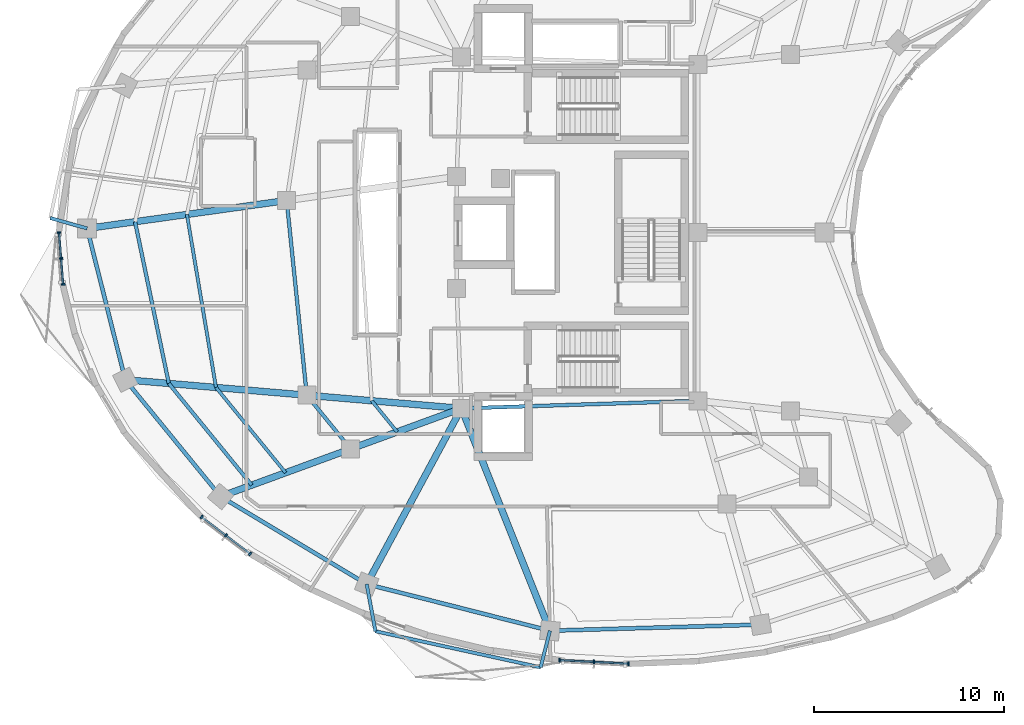
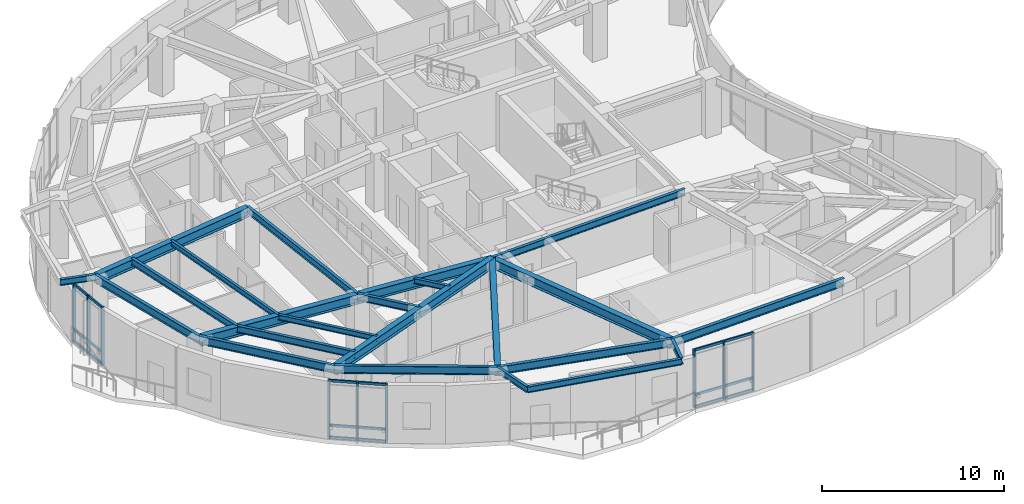
# One storey, part 2 of 15: 27 members, 24 beams, 3 elements without a shape of their own.
"""IFC4 building model written with IfcOpenShell, lengths in metres."""

from ifc_helpers import new_model, si_unit, direction, frame, origin, origin_2d, place, context, subcontext, project, spatial, rectangle, i_section, extrude, material, layer, layer_set, material_profile, profile_set, type_object, element, aggregate, save


model = new_model("IFC4")

# Units and contexts
model_context = context("Model", 3, precision=1e-05, world=origin(), true_north=direction((0.0, 1.0)))
body_context = subcontext(model_context, "Body", "Model", "MODEL_VIEW")
ifc_project = project(units=[si_unit("LENGTHUNIT", "METRE"), si_unit("AREAUNIT", "SQUARE_METRE"), si_unit("VOLUMEUNIT", "CUBIC_METRE"), si_unit("PLANEANGLEUNIT", "RADIAN"), si_unit("MASSUNIT", "GRAM", prefix="KILO")], contexts=[model_context])

# Site, building, storey
site_placement = place(None, origin())
site = spatial("IfcSite", under=ifc_project, at=site_placement, CompositionType="ELEMENT")
building_placement = place(site_placement, origin())
building = spatial("IfcBuilding", under=site, at=building_placement, Name="Korentha Bioscience Tower", CompositionType="ELEMENT")
storey_placement = place(building_placement, frame((0.0, 0.0, 226.800048828125)))
storey = spatial("IfcBuildingStorey", under=building, at=storey_placement, Name="L52", CompositionType="ELEMENT", Elevation=226.800048828125)

# Beams
ifc_material_1 = material(Name="Steel S355", Category="steel")
ifc_material_profile_1 = material_profile(ifc_material_1, i_section(OverallWidth=0.18994140625, OverallDepth=0.45703125, WebThickness=0.009033203125, FlangeThickness=0.014404296875, at=origin_2d()), Name="Steel S355")
ifc_profile_set_1 = profile_set([ifc_material_profile_1], Name="Steel S355 (MB-460)")
beam_type_1 = type_object("IfcBeamType", Name="Mid-Ring Tie Girder W460x74", PredefinedType="BEAM", material=ifc_profile_set_1)
beam_1_placement = place(storey_placement, frame((15.903076171875, 28.69482421875, 3.67138671875), z_axis=(0.102606546494, -0.994722019771, 0.0), x_axis=(0.994722019771, 0.102606546494, 0.0)))
element("IfcBeam", 1, at=beam_1_placement, inside=storey, type_object=beam_type_1, Name="L52 Mid-Ring Tie Girder 07", PredefinedType="BEAM", context=body_context, shape_type="SweptSolid", body=[
    extrude(i_section(OverallWidth=0.18994140625, OverallDepth=0.45703125, WebThickness=0.009033203125, FlangeThickness=0.014404296875, at=origin_2d()), origin(), (0.0, 0.0, 1.0), 10.30517578125),
])
beam_2_placement = place(storey_placement, frame((16.96044921875, 18.444091796875, 3.67138671875), z_axis=(0.632275728894, -0.774743443116, 0.0), x_axis=(0.774743443116, 0.632275728894, 0.0)))
element("IfcBeam", 2, at=beam_2_placement, inside=storey, type_object=beam_type_1, Name="L52 Mid-Ring Tie Girder 08", PredefinedType="BEAM", context=body_context, shape_type="SweptSolid", body=[
    extrude(i_section(OverallWidth=0.18994140625, OverallDepth=0.45703125, WebThickness=0.009033203125, FlangeThickness=0.014404296875, at=origin_2d()), origin(), (0.0, 0.0, 1.0), 3.650146484375),
])
beam_3_placement = place(storey_placement, frame((25.10009765625, 17.75, 3.67138671875), z_axis=(0.999484526071, 0.032104238723, 0.0), x_axis=(-0.032104238723, 0.999484526071, 0.0)))
element("IfcBeam", 3, at=beam_3_placement, inside=storey, type_object=beam_type_1, Name="L52 Core Ring Tie Girder 05", PredefinedType="BEAM", context=body_context, shape_type="SweptSolid", body=[
    extrude(i_section(OverallWidth=0.18994140625, OverallDepth=0.45703125, WebThickness=0.009033203125, FlangeThickness=0.014404296875, at=origin_2d()), origin(), (0.0, 0.0, 1.0), 12.456298828125),
])

# Curtain wall, members
ifc_material_2 = material(Name="Thermally Broken Aluminium Frame", Category="aluminium")
ifc_layer = layer(ifc_material_2, 0.219970703125, Name="Thermally Broken Aluminium Frame")
ifc_layer_set = layer_set([ifc_layer], Name="Thermally Broken Aluminium Frame (CW-T2)")
curtain_wall_type = type_object("IfcCurtainWallType", Name="Solar-Screened Lab Unitised Curtain Wall CW-T2", PredefinedType="USERDEFINED", material=ifc_layer_set)
curtain_wall_1_placement = place(storey_placement, origin())
curtain_wall_1 = element("IfcCurtainWall", 4, at=curtain_wall_1_placement, inside=storey, type_object=curtain_wall_type, Name="L52 Curtain Wall 19", ObjectType="UNITISED", PredefinedType="USERDEFINED")
ifc_material_3 = material(Name="Anodised Aluminium 6063-T6", Category="aluminium")
ifc_material_profile_2 = material_profile(ifc_material_3, rectangle(XDim=0.090087890625, YDim=0.199951171875, at=origin_2d()), Name="Anodised Aluminium 6063-T6")
ifc_profile_set_2 = profile_set([ifc_material_profile_2], Name="Anodised Aluminium 6063-T6 (CW-MUL)")
member_type_1 = type_object("IfcMemberType", Name="Mullion RECT 90x200", PredefinedType="MULLION", material=ifc_profile_set_2)
member_1_placement = place(storey_placement, frame((3.9169921875, 27.0078125, 0.0), z_axis=(0.0, 0.0, 1.0), x_axis=(0.07974803224, -0.996815053736, 0.0)))
member_1 = element("IfcMember", 5, at=member_1_placement, type_object=member_type_1, Name="CW-L52-19 Mullion 1", PredefinedType="MULLION", context=body_context, shape_type="SweptSolid", body=[
    extrude(rectangle(XDim=0.090087890625, YDim=0.199951171875, at=origin_2d()), origin(), (0.0, 0.0, 1.0), 3.89990234375),
])
member_2_placement = place(storey_placement, frame((4.026123046875, 25.642578125, 0.0), z_axis=(0.0, 0.0, 1.0), x_axis=(0.07974803224, -0.996815053736, 0.0)))
member_2 = element("IfcMember", 6, at=member_2_placement, type_object=member_type_1, Name="CW-L52-19 Mullion 2", PredefinedType="MULLION", context=body_context, shape_type="SweptSolid", body=[
    extrude(rectangle(XDim=0.090087890625, YDim=0.199951171875, at=origin_2d()), origin(), (0.0, 0.0, 1.0), 3.89990234375),
])
member_3_placement = place(storey_placement, frame((4.13525390625, 24.277587890625, 0.0), z_axis=(0.0, 0.0, 1.0), x_axis=(0.07974803224, -0.996815053736, 0.0)))
member_3 = element("IfcMember", 7, at=member_3_placement, type_object=member_type_1, Name="CW-L52-19 Mullion 3", PredefinedType="MULLION", context=body_context, shape_type="SweptSolid", body=[
    extrude(rectangle(XDim=0.090087890625, YDim=0.199951171875, at=origin_2d()), origin(), (0.0, 0.0, 1.0), 3.89990234375),
])

curtain_wall_2_placement = place(storey_placement, origin())
curtain_wall_2 = element("IfcCurtainWall", 8, at=curtain_wall_2_placement, inside=storey, type_object=curtain_wall_type, Name="L52 Curtain Wall 25", ObjectType="UNITISED", PredefinedType="USERDEFINED")
member_4_placement = place(storey_placement, frame((11.423095703125, 12.036865234375, 0.0), z_axis=(0.0, 0.0, 1.0), x_axis=(0.796889131105, -0.604125576951, 0.0)))
member_4 = element("IfcMember", 9, at=member_4_placement, type_object=member_type_1, Name="CW-L52-25 Mullion 1", PredefinedType="MULLION", context=body_context, shape_type="SweptSolid", body=[
    extrude(rectangle(XDim=0.090087890625, YDim=0.199951171875, at=origin_2d()), origin(), (0.0, 0.0, 1.0), 3.89990234375),
])
member_5_placement = place(storey_placement, frame((12.704345703125, 11.065673828125, 0.0), z_axis=(0.0, 0.0, 1.0), x_axis=(0.796889131105, -0.604125576951, 0.0)))
member_5 = element("IfcMember", 10, at=member_5_placement, type_object=member_type_1, Name="CW-L52-25 Mullion 2", PredefinedType="MULLION", context=body_context, shape_type="SweptSolid", body=[
    extrude(rectangle(XDim=0.090087890625, YDim=0.199951171875, at=origin_2d()), origin(), (0.0, 0.0, 1.0), 3.89990234375),
])
member_6_placement = place(storey_placement, frame((13.985595703125, 10.09423828125, 0.0), z_axis=(0.0, 0.0, 1.0), x_axis=(0.796889131105, -0.604125576951, 0.0)))
member_6 = element("IfcMember", 11, at=member_6_placement, type_object=member_type_1, Name="CW-L52-25 Mullion 3", PredefinedType="MULLION", context=body_context, shape_type="SweptSolid", body=[
    extrude(rectangle(XDim=0.090087890625, YDim=0.199951171875, at=origin_2d()), origin(), (0.0, 0.0, 1.0), 3.89990234375),
])

curtain_wall_3_placement = place(storey_placement, origin())
curtain_wall_3 = element("IfcCurtainWall", 12, at=curtain_wall_3_placement, inside=storey, type_object=curtain_wall_type, Name="L52 Curtain Wall 31", ObjectType="UNITISED", PredefinedType="USERDEFINED")
member_7_placement = place(storey_placement, frame((30.262939453125, 4.501708984375, 0.0), z_axis=(0.0, 0.0, 1.0), x_axis=(0.998695818107, -0.051055488397, 0.0)))
member_7 = element("IfcMember", 13, at=member_7_placement, type_object=member_type_1, Name="CW-L52-31 Mullion 1", PredefinedType="MULLION", context=body_context, shape_type="SweptSolid", body=[
    extrude(rectangle(XDim=0.090087890625, YDim=0.199951171875, at=origin_2d()), origin(), (0.0, 0.0, 1.0), 3.89990234375),
])
member_8_placement = place(storey_placement, frame((32.078125, 4.40869140625, 0.0), z_axis=(0.0, 0.0, 1.0), x_axis=(0.998695818107, -0.051055488397, 0.0)))
member_8 = element("IfcMember", 14, at=member_8_placement, type_object=member_type_1, Name="CW-L52-31 Mullion 2", PredefinedType="MULLION", context=body_context, shape_type="SweptSolid", body=[
    extrude(rectangle(XDim=0.090087890625, YDim=0.199951171875, at=origin_2d()), origin(), (0.0, 0.0, 1.0), 3.89990234375),
])
member_9_placement = place(storey_placement, frame((33.8935546875, 4.31591796875, 0.0), z_axis=(0.0, 0.0, 1.0), x_axis=(0.998695818107, -0.051055488397, 0.0)))
member_9 = element("IfcMember", 15, at=member_9_placement, type_object=member_type_1, Name="CW-L52-31 Mullion 3", PredefinedType="MULLION", context=body_context, shape_type="SweptSolid", body=[
    extrude(rectangle(XDim=0.090087890625, YDim=0.199951171875, at=origin_2d()), origin(), (0.0, 0.0, 1.0), 3.89990234375),
])

# Beams
ifc_material_profile_3 = material_profile(ifc_material_1, i_section(OverallWidth=0.208984375, OverallDepth=0.532958984375, WebThickness=0.01025390625, FlangeThickness=0.015625, at=origin_2d()), Name="Steel S355")
ifc_profile_set_3 = profile_set([ifc_material_profile_3], Name="Steel S355 (SB-530)")
beam_type_2 = type_object("IfcBeamType", Name="Perimeter Ring Spandrel Girder W530x92", PredefinedType="SPANDREL", material=ifc_profile_set_3)
beam_4_placement = place(storey_placement, frame((5.39990234375, 27.2216796875, 3.633544921875), z_axis=(0.244207174084, -0.969723082187, 0.0), x_axis=(0.969723082187, 0.244207174084, 0.0)))
element("IfcBeam", 16, at=beam_4_placement, inside=storey, type_object=beam_type_2, Name="L52 Perimeter Spandrel Girder 07", PredefinedType="SPANDREL", context=body_context, shape_type="SweptSolid", body=[
    extrude(i_section(OverallWidth=0.208984375, OverallDepth=0.532958984375, WebThickness=0.01025390625, FlangeThickness=0.015625, at=origin_2d()), origin(), (0.0, 0.0, 1.0), 8.211669921875),
])
beam_5_placement = place(storey_placement, frame((7.4052734375, 19.258544921875, 3.633544921875), z_axis=(0.632315820697, -0.774710722074, 0.0), x_axis=(0.774710722074, 0.632315820697, 0.0)))
element("IfcBeam", 17, at=beam_5_placement, inside=storey, type_object=beam_type_2, Name="L52 Perimeter Spandrel Girder 08", PredefinedType="SPANDREL", context=body_context, shape_type="SweptSolid", body=[
    extrude(i_section(OverallWidth=0.208984375, OverallDepth=0.532958984375, WebThickness=0.01025390625, FlangeThickness=0.015625, at=origin_2d()), origin(), (0.0, 0.0, 1.0), 7.934814453125),
])
beam_6_placement = place(storey_placement, frame((12.422607421875, 13.111328125, 3.633544921875), z_axis=(0.857644232791, -0.514243492872, 0.0), x_axis=(0.514243492872, 0.857644232791, 0.0)))
element("IfcBeam", 18, at=beam_6_placement, inside=storey, type_object=beam_type_2, Name="L52 Perimeter Spandrel Girder 09", PredefinedType="SPANDREL", context=body_context, shape_type="SweptSolid", body=[
    extrude(i_section(OverallWidth=0.208984375, OverallDepth=0.532958984375, WebThickness=0.01025390625, FlangeThickness=0.015625, at=origin_2d()), origin(), (0.0, 0.0, 1.0), 8.96728515625),
])
beam_7_placement = place(storey_placement, frame((20.11328125, 8.5, 3.633544921875), z_axis=(0.969197317616, -0.246285524395, 0.0), x_axis=(0.246285524395, 0.969197317616, 0.0)))
element("IfcBeam", 19, at=beam_7_placement, inside=storey, type_object=beam_type_2, Name="L52 Perimeter Spandrel Girder 10", PredefinedType="SPANDREL", context=body_context, shape_type="SweptSolid", body=[
    extrude(i_section(OverallWidth=0.208984375, OverallDepth=0.532958984375, WebThickness=0.01025390625, FlangeThickness=0.015625, at=origin_2d()), origin(), (0.0, 0.0, 1.0), 9.95263671875),
])
beam_8_placement = place(storey_placement, frame((29.75927734375, 6.048828125, 3.633544921875), z_axis=(0.999586140554, 0.028767127286, 0.0), x_axis=(-0.028767127286, 0.999586140554, 0.0)))
element("IfcBeam", 20, at=beam_8_placement, inside=storey, type_object=beam_type_2, Name="L52 Perimeter Spandrel Girder 11", PredefinedType="SPANDREL", context=body_context, shape_type="SweptSolid", body=[
    extrude(i_section(OverallWidth=0.208984375, OverallDepth=0.532958984375, WebThickness=0.01025390625, FlangeThickness=0.015625, at=origin_2d()), origin(), (0.0, 0.0, 1.0), 11.09228515625),
])
ifc_material_profile_4 = material_profile(ifc_material_1, i_section(OverallWidth=0.18994140625, OverallDepth=0.45703125, WebThickness=0.009033203125, FlangeThickness=0.014404296875, at=origin_2d()), Name="Steel S355")
ifc_profile_set_4 = profile_set([ifc_material_profile_4], Name="Steel S355 (RB-460)")
beam_type_3 = type_object("IfcBeamType", Name="Radial Laboratory Beam W460x74", PredefinedType="BEAM", material=ifc_profile_set_4)
beam_9_placement = place(storey_placement, frame((7.920654296875, 27.5751953125, 3.67138671875), z_axis=(0.204445291573, -0.978877991761, 0.0), x_axis=(0.978877991761, 0.204445291573, 0.0)))
element("IfcBeam", 21, at=beam_9_placement, inside=storey, type_object=beam_type_3, Name="L52 Secondary Floor Beam JSTO-07", PredefinedType="BEAM", context=body_context, shape_type="SweptSolid", body=[
    extrude(i_section(OverallWidth=0.18994140625, OverallDepth=0.45703125, WebThickness=0.009033203125, FlangeThickness=0.014404296875, at=origin_2d()), origin(), (0.0, 0.0, 1.0), 8.69580078125),
])
beam_10_placement = place(storey_placement, frame((9.698486328125, 19.06298828125, 3.67138671875), z_axis=(0.632321075077, -0.77470643344, 0.0), x_axis=(0.77470643344, 0.632321075077, 0.0)))
element("IfcBeam", 22, at=beam_10_placement, inside=storey, type_object=beam_type_3, Name="L52 Secondary Floor Beam JSTO-08", PredefinedType="BEAM", context=body_context, shape_type="SweptSolid", body=[
    extrude(i_section(OverallWidth=0.18994140625, OverallDepth=0.45703125, WebThickness=0.009033203125, FlangeThickness=0.014404296875, at=origin_2d()), origin(), (0.0, 0.0, 1.0), 6.906494140625),
])
ifc_material_profile_5 = material_profile(ifc_material_1, i_section(OverallWidth=0.35009765625, OverallDepth=0.64990234375, WebThickness=0.01611328125, FlangeThickness=0.02490234375, at=origin_2d()), Name="Steel S355")
ifc_profile_set_5 = profile_set([ifc_material_profile_5], Name="Steel S355 (RB-650)")
beam_type_4 = type_object("IfcBeamType", Name="Radial Laboratory Girder CVS 650x208", PredefinedType="BEAM", material=ifc_profile_set_5)
beam_11_placement = place(storey_placement, frame((15.903076171875, 28.69482421875, 3.574951171875), z_axis=(-0.990306757518, -0.138897537827, 0.0), x_axis=(0.138897537827, -0.990306757518, 0.0)))
element("IfcBeam", 23, at=beam_11_placement, inside=storey, type_object=beam_type_4, Name="L52 Outer Radial Girder 07", PredefinedType="BEAM", context=body_context, shape_type="SweptSolid", body=[
    extrude(i_section(OverallWidth=0.35009765625, OverallDepth=0.64990234375, WebThickness=0.01611328125, FlangeThickness=0.02490234375, at=origin_2d()), origin(), (0.0, 0.0, 1.0), 10.60595703125),
])
beam_12_placement = place(storey_placement, frame((25.10009765625, 17.75, 3.574951171875), z_axis=(-0.996383970884, 0.084964595957, 0.0), x_axis=(-0.084964595957, -0.996383970884, 0.0)))
element("IfcBeam", 24, at=beam_12_placement, inside=storey, type_object=beam_type_4, Name="L52 Inner Radial Girder 08", PredefinedType="BEAM", context=body_context, shape_type="SweptSolid", body=[
    extrude(i_section(OverallWidth=0.35009765625, OverallDepth=0.64990234375, WebThickness=0.01611328125, FlangeThickness=0.02490234375, at=origin_2d()), origin(), (0.0, 0.0, 1.0), 8.169189453125),
])
beam_13_placement = place(storey_placement, frame((16.96044921875, 18.444091796875, 3.574951171875), z_axis=(-0.996387014591, 0.084928894698, 0.0), x_axis=(-0.084928894698, -0.996387014591, 0.0)))
element("IfcBeam", 25, at=beam_13_placement, inside=storey, type_object=beam_type_4, Name="L52 Outer Radial Girder 08", PredefinedType="BEAM", context=body_context, shape_type="SweptSolid", body=[
    extrude(i_section(OverallWidth=0.35009765625, OverallDepth=0.64990234375, WebThickness=0.01611328125, FlangeThickness=0.02490234375, at=origin_2d()), origin(), (0.0, 0.0, 1.0), 9.58984375),
])
beam_14_placement = place(storey_placement, frame((25.10009765625, 17.75, 3.574951171875), z_axis=(-0.939112022558, -0.343611130622, 0.0), x_axis=(0.343611130622, -0.939112022558, 0.0)))
element("IfcBeam", 26, at=beam_14_placement, inside=storey, type_object=beam_type_4, Name="L52 Inner Radial Girder 09", PredefinedType="BEAM", context=body_context, shape_type="SweptSolid", body=[
    extrude(i_section(OverallWidth=0.35009765625, OverallDepth=0.64990234375, WebThickness=0.01611328125, FlangeThickness=0.02490234375, at=origin_2d()), origin(), (0.0, 0.0, 1.0), 6.2099609375),
])
beam_15_placement = place(storey_placement, frame((19.268310546875, 15.6162109375, 3.574951171875), z_axis=(-0.939107036581, -0.343624757322, 0.0), x_axis=(0.343624757322, -0.939107036581, 0.0)))
element("IfcBeam", 27, at=beam_15_placement, inside=storey, type_object=beam_type_4, Name="L52 Outer Radial Girder 09", PredefinedType="BEAM", context=body_context, shape_type="SweptSolid", body=[
    extrude(i_section(OverallWidth=0.35009765625, OverallDepth=0.64990234375, WebThickness=0.01611328125, FlangeThickness=0.02490234375, at=origin_2d()), origin(), (0.0, 0.0, 1.0), 7.28955078125),
])
beam_16_placement = place(storey_placement, frame((25.10009765625, 17.75, 3.574951171875), z_axis=(-0.474545867703, -0.880230776243, 0.0), x_axis=(0.880230776243, -0.474545867703, 0.0)))
element("IfcBeam", 28, at=beam_16_placement, inside=storey, type_object=beam_type_4, Name="L52 Radial Girder 10", PredefinedType="BEAM", context=body_context, shape_type="SweptSolid", body=[
    extrude(i_section(OverallWidth=0.35009765625, OverallDepth=0.64990234375, WebThickness=0.01611328125, FlangeThickness=0.02490234375, at=origin_2d()), origin(), (0.0, 0.0, 1.0), 10.508544921875),
])
beam_17_placement = place(storey_placement, frame((25.10009765625, 17.75, 3.574951171875), z_axis=(0.369933042289, -0.929058418089, 0.0), x_axis=(0.929058418089, 0.369933042289, 0.0)))
element("IfcBeam", 29, at=beam_17_placement, inside=storey, type_object=beam_type_4, Name="L52 Radial Girder 11", PredefinedType="BEAM", context=body_context, shape_type="SweptSolid", body=[
    extrude(i_section(OverallWidth=0.35009765625, OverallDepth=0.64990234375, WebThickness=0.01611328125, FlangeThickness=0.02490234375, at=origin_2d()), origin(), (0.0, 0.0, 1.0), 12.5947265625),
])
ifc_material_profile_6 = material_profile(ifc_material_1, i_section(OverallWidth=0.1708984375, OverallDepth=0.35498046875, WebThickness=0.007080078125, FlangeThickness=0.01171875, at=origin_2d()), Name="Steel S355")
ifc_profile_set_6 = profile_set([ifc_material_profile_6], Name="Steel S355 (JB-360)")
beam_type_5 = type_object("IfcBeamType", Name="Secondary Laboratory Joist W360x51", PredefinedType="JOIST", material=ifc_profile_set_6)
beam_18_placement = place(storey_placement, frame((10.651611328125, 27.958251953125, 3.722412109375), z_axis=(0.165813560916, -0.986157118829, 0.0), x_axis=(0.986157118829, 0.165813560916, 0.0)))
element("IfcBeam", 30, at=beam_18_placement, inside=storey, type_object=beam_type_5, Name="L52 Secondary Floor Beam JST-07", PredefinedType="JOIST", context=body_context, shape_type="SweptSolid", body=[
    extrude(i_section(OverallWidth=0.1708984375, OverallDepth=0.35498046875, WebThickness=0.007080078125, FlangeThickness=0.01171875, at=origin_2d()), origin(), (0.0, 0.0, 1.0), 9.23486328125),
])
beam_19_placement = place(storey_placement, frame((12.182861328125, 18.851318359375, 3.722412109375), z_axis=(0.632303189088, -0.774721031771, 0.0), x_axis=(0.774721031771, 0.632303189088, 0.0)))
element("IfcBeam", 31, at=beam_19_placement, inside=storey, type_object=beam_type_5, Name="L52 Secondary Floor Beam JST-08", PredefinedType="JOIST", context=body_context, shape_type="SweptSolid", body=[
    extrude(i_section(OverallWidth=0.1708984375, OverallDepth=0.35498046875, WebThickness=0.007080078125, FlangeThickness=0.01171875, at=origin_2d()), origin(), (0.0, 0.0, 1.0), 5.79248046875),
])
beam_20_placement = place(storey_placement, frame((20.37890625, 18.152587890625, 3.722412109375), z_axis=(0.632370841021, -0.774665811448, 0.0), x_axis=(0.774665811448, 0.632370841021, 0.0)))
element("IfcBeam", 32, at=beam_20_placement, inside=storey, type_object=beam_type_5, Name="L52 Inner Bay Joist 08", PredefinedType="JOIST", context=body_context, shape_type="SweptSolid", body=[
    extrude(i_section(OverallWidth=0.1708984375, OverallDepth=0.35498046875, WebThickness=0.007080078125, FlangeThickness=0.01171875, at=origin_2d()), origin(), (0.0, 0.0, 1.0), 2.1171875),
])
ifc_material_profile_7 = material_profile(ifc_material_1, i_section(OverallWidth=0.177978515625, OverallDepth=0.406982421875, WebThickness=0.0078125, FlangeThickness=0.0126953125, at=origin_2d()), Name="Steel S355")
ifc_profile_set_7 = profile_set([ifc_material_profile_7], Name="Steel S355 (CB-410)")
beam_type_6 = type_object("IfcBeamType", Name="Sun-Ledge Cantilever Beam W410x60", PredefinedType="BEAM", material=ifc_profile_set_7)
beam_21_placement = place(storey_placement, frame((5.39990234375, 27.2216796875, 3.698486328125), z_axis=(-0.962251522828, 0.272161729154, 0.0), x_axis=(-0.272161729154, -0.962251522828, 0.0)))
element("IfcBeam", 33, at=beam_21_placement, inside=storey, type_object=beam_type_6, Name="L52 Balcony Cantilever Bracket B-L53-02", PredefinedType="BEAM", context=body_context, shape_type="SweptSolid", body=[
    extrude(i_section(OverallWidth=0.177978515625, OverallDepth=0.406982421875, WebThickness=0.0078125, FlangeThickness=0.0126953125, at=origin_2d()), origin(), (0.0, 0.0, 1.0), 2.0166015625),
])
beam_22_placement = place(storey_placement, frame((20.11328125, 8.5, 3.698486328125), z_axis=(0.182446425678, -0.983215796129, 0.0), x_axis=(0.983215796129, 0.182446425678, 0.0)))
element("IfcBeam", 34, at=beam_22_placement, inside=storey, type_object=beam_type_6, Name="L52 Balcony Cantilever Bracket A-L53-03", PredefinedType="BEAM", context=body_context, shape_type="SweptSolid", body=[
    extrude(i_section(OverallWidth=0.177978515625, OverallDepth=0.406982421875, WebThickness=0.0078125, FlangeThickness=0.0126953125, at=origin_2d()), origin(), (0.0, 0.0, 1.0), 2.52099609375),
])
beam_23_placement = place(storey_placement, frame((29.75927734375, 6.048828125, 3.698486328125), z_axis=(-0.246080750439, -0.969249330288, 0.0), x_axis=(0.969249330288, -0.246080750439, 0.0)))
element("IfcBeam", 35, at=beam_23_placement, inside=storey, type_object=beam_type_6, Name="L52 Balcony Cantilever Bracket B-L53-03", PredefinedType="BEAM", context=body_context, shape_type="SweptSolid", body=[
    extrude(i_section(OverallWidth=0.177978515625, OverallDepth=0.406982421875, WebThickness=0.0078125, FlangeThickness=0.0126953125, at=origin_2d()), origin(), (0.0, 0.0, 1.0), 1.9921875),
])
beam_24_placement = place(storey_placement, frame((20.5732421875, 6.021240234375, 3.698486328125), z_axis=(0.976873887272, -0.213816295838, 0.0), x_axis=(0.213816295838, 0.976873887272, 0.0)))
element("IfcBeam", 36, at=beam_24_placement, inside=storey, type_object=beam_type_6, Name="L52 Balcony Edge Trimmer Beam L53-03", PredefinedType="BEAM", context=body_context, shape_type="SweptSolid", body=[
    extrude(i_section(OverallWidth=0.177978515625, OverallDepth=0.406982421875, WebThickness=0.0078125, FlangeThickness=0.0126953125, at=origin_2d()), origin(), (0.0, 0.0, 1.0), 8.901611328125),
])

# Member
ifc_material_profile_8 = material_profile(ifc_material_3, rectangle(XDim=0.090087890625, YDim=0.159912109375, at=origin_2d()), Name="Anodised Aluminium 6063-T6")
ifc_profile_set_8 = profile_set([ifc_material_profile_8], Name="Anodised Aluminium 6063-T6 (CW-TRN)")
member_type_2 = type_object("IfcMemberType", Name="Transom RECT 90x160", PredefinedType="USERDEFINED", material=ifc_profile_set_8)
member_10_placement = place(storey_placement, frame((3.92041015625, 26.962890625, 0.044921875), z_axis=(0.079760390344, -0.996814064975, 0.0), x_axis=(0.996814064975, 0.079760390344, 0.0)))
member_10 = element("IfcMember", 37, at=member_10_placement, type_object=member_type_2, Name="CW-L52-19 Bay 1 Transom 1", ObjectType="TRANSOM", PredefinedType="USERDEFINED", context=body_context, shape_type="SweptSolid", body=[
    extrude(rectangle(XDim=0.090087890625, YDim=0.159912109375, at=origin_2d()), origin(), (0.0, 0.0, 1.0), 1.279541015625),
])

member_11_placement = place(storey_placement, frame((3.92041015625, 26.962890625, 0.849853515625), z_axis=(0.079760390344, -0.996814064975, 0.0), x_axis=(0.996814064975, 0.079760390344, 0.0)))
member_11 = element("IfcMember", 38, at=member_11_placement, type_object=member_type_2, Name="CW-L52-19 Bay 1 Transom 2", ObjectType="TRANSOM", PredefinedType="USERDEFINED", context=body_context, shape_type="SweptSolid", body=[
    extrude(rectangle(XDim=0.090087890625, YDim=0.159912109375, at=origin_2d()), origin(), (0.0, 0.0, 1.0), 1.279541015625),
])

member_12_placement = place(storey_placement, frame((3.92041015625, 26.962890625, 3.85498046875), z_axis=(0.079760390344, -0.996814064975, 0.0), x_axis=(0.996814064975, 0.079760390344, 0.0)))
member_12 = element("IfcMember", 39, at=member_12_placement, type_object=member_type_2, Name="CW-L52-19 Bay 1 Transom 3", ObjectType="TRANSOM", PredefinedType="USERDEFINED", context=body_context, shape_type="SweptSolid", body=[
    extrude(rectangle(XDim=0.090087890625, YDim=0.159912109375, at=origin_2d()), origin(), (0.0, 0.0, 1.0), 1.279541015625),
])

member_13_placement = place(storey_placement, frame((4.02978515625, 25.597900390625, 0.044921875), z_axis=(0.079570785596, -0.996829218111, 0.0), x_axis=(0.996829218111, 0.079570785596, 0.0)))
member_13 = element("IfcMember", 40, at=member_13_placement, type_object=member_type_2, Name="CW-L52-19 Bay 2 Transom 1", ObjectType="TRANSOM", PredefinedType="USERDEFINED", context=body_context, shape_type="SweptSolid", body=[
    extrude(rectangle(XDim=0.090087890625, YDim=0.159912109375, at=origin_2d()), origin(), (0.0, 0.0, 1.0), 1.279541015625),
])

member_14_placement = place(storey_placement, frame((4.02978515625, 25.597900390625, 0.849853515625), z_axis=(0.079570785596, -0.996829218111, 0.0), x_axis=(0.996829218111, 0.079570785596, 0.0)))
member_14 = element("IfcMember", 41, at=member_14_placement, type_object=member_type_2, Name="CW-L52-19 Bay 2 Transom 2", ObjectType="TRANSOM", PredefinedType="USERDEFINED", context=body_context, shape_type="SweptSolid", body=[
    extrude(rectangle(XDim=0.090087890625, YDim=0.159912109375, at=origin_2d()), origin(), (0.0, 0.0, 1.0), 1.279541015625),
])

member_15_placement = place(storey_placement, frame((4.02978515625, 25.597900390625, 3.85498046875), z_axis=(0.079570785596, -0.996829218111, 0.0), x_axis=(0.996829218111, 0.079570785596, 0.0)))
member_15 = element("IfcMember", 42, at=member_15_placement, type_object=member_type_2, Name="CW-L52-19 Bay 2 Transom 3", ObjectType="TRANSOM", PredefinedType="USERDEFINED", context=body_context, shape_type="SweptSolid", body=[
    extrude(rectangle(XDim=0.090087890625, YDim=0.159912109375, at=origin_2d()), origin(), (0.0, 0.0, 1.0), 1.279541015625),
])

aggregate(curtain_wall_1, [member_1, member_2, member_3, member_10, member_11, member_12, member_13, member_14, member_15])

member_16_placement = place(storey_placement, frame((11.458984375, 12.009765625, 0.044921875), z_axis=(0.796862167345, -0.604161142622, 0.0), x_axis=(0.604161142622, 0.796862167345, 0.0)))
member_16 = element("IfcMember", 43, at=member_16_placement, type_object=member_type_2, Name="CW-L52-25 Bay 1 Transom 1", ObjectType="TRANSOM", PredefinedType="USERDEFINED", context=body_context, shape_type="SweptSolid", body=[
    extrude(rectangle(XDim=0.090087890625, YDim=0.159912109375, at=origin_2d()), origin(), (0.0, 0.0, 1.0), 1.517822265625),
])

member_17_placement = place(storey_placement, frame((11.458984375, 12.009765625, 0.849853515625), z_axis=(0.796862167345, -0.604161142622, 0.0), x_axis=(0.604161142622, 0.796862167345, 0.0)))
member_17 = element("IfcMember", 44, at=member_17_placement, type_object=member_type_2, Name="CW-L52-25 Bay 1 Transom 2", ObjectType="TRANSOM", PredefinedType="USERDEFINED", context=body_context, shape_type="SweptSolid", body=[
    extrude(rectangle(XDim=0.090087890625, YDim=0.159912109375, at=origin_2d()), origin(), (0.0, 0.0, 1.0), 1.517822265625),
])

member_18_placement = place(storey_placement, frame((11.458984375, 12.009765625, 3.85498046875), z_axis=(0.796862167345, -0.604161142622, 0.0), x_axis=(0.604161142622, 0.796862167345, 0.0)))
member_18 = element("IfcMember", 45, at=member_18_placement, type_object=member_type_2, Name="CW-L52-25 Bay 1 Transom 3", ObjectType="TRANSOM", PredefinedType="USERDEFINED", context=body_context, shape_type="SweptSolid", body=[
    extrude(rectangle(XDim=0.090087890625, YDim=0.159912109375, at=origin_2d()), origin(), (0.0, 0.0, 1.0), 1.517822265625),
])

member_19_placement = place(storey_placement, frame((12.740234375, 11.038330078125, 0.044921875), z_axis=(0.796939607942, -0.604058988256, 0.0), x_axis=(0.604058988256, 0.796939607942, 0.0)))
member_19 = element("IfcMember", 46, at=member_19_placement, type_object=member_type_2, Name="CW-L52-25 Bay 2 Transom 1", ObjectType="TRANSOM", PredefinedType="USERDEFINED", context=body_context, shape_type="SweptSolid", body=[
    extrude(rectangle(XDim=0.090087890625, YDim=0.159912109375, at=origin_2d()), origin(), (0.0, 0.0, 1.0), 1.517578125),
])

member_20_placement = place(storey_placement, frame((12.740234375, 11.038330078125, 0.849853515625), z_axis=(0.796939607942, -0.604058988256, 0.0), x_axis=(0.604058988256, 0.796939607942, 0.0)))
member_20 = element("IfcMember", 47, at=member_20_placement, type_object=member_type_2, Name="CW-L52-25 Bay 2 Transom 2", ObjectType="TRANSOM", PredefinedType="USERDEFINED", context=body_context, shape_type="SweptSolid", body=[
    extrude(rectangle(XDim=0.090087890625, YDim=0.159912109375, at=origin_2d()), origin(), (0.0, 0.0, 1.0), 1.517578125),
])

member_21_placement = place(storey_placement, frame((12.740234375, 11.038330078125, 3.85498046875), z_axis=(0.796939607942, -0.604058988256, 0.0), x_axis=(0.604058988256, 0.796939607942, 0.0)))
member_21 = element("IfcMember", 48, at=member_21_placement, type_object=member_type_2, Name="CW-L52-25 Bay 2 Transom 3", ObjectType="TRANSOM", PredefinedType="USERDEFINED", context=body_context, shape_type="SweptSolid", body=[
    extrude(rectangle(XDim=0.090087890625, YDim=0.159912109375, at=origin_2d()), origin(), (0.0, 0.0, 1.0), 1.517578125),
])

aggregate(curtain_wall_2, [member_4, member_5, member_6, member_16, member_17, member_18, member_19, member_20, member_21])

member_22_placement = place(storey_placement, frame((30.307861328125, 4.499267578125, 0.044921875), z_axis=(0.998697837161, -0.051015978381, 0.0), x_axis=(0.051015978381, 0.998697837161, 0.0)))
member_22 = element("IfcMember", 49, at=member_22_placement, type_object=member_type_2, Name="CW-L52-31 Bay 1 Transom 1", ObjectType="TRANSOM", PredefinedType="USERDEFINED", context=body_context, shape_type="SweptSolid", body=[
    extrude(rectangle(XDim=0.090087890625, YDim=0.159912109375, at=origin_2d()), origin(), (0.0, 0.0, 1.0), 1.7275390625),
])

member_23_placement = place(storey_placement, frame((30.307861328125, 4.499267578125, 0.849853515625), z_axis=(0.998697837161, -0.051015978381, 0.0), x_axis=(0.051015978381, 0.998697837161, 0.0)))
member_23 = element("IfcMember", 50, at=member_23_placement, type_object=member_type_2, Name="CW-L52-31 Bay 1 Transom 2", ObjectType="TRANSOM", PredefinedType="USERDEFINED", context=body_context, shape_type="SweptSolid", body=[
    extrude(rectangle(XDim=0.090087890625, YDim=0.159912109375, at=origin_2d()), origin(), (0.0, 0.0, 1.0), 1.7275390625),
])

member_24_placement = place(storey_placement, frame((30.307861328125, 4.499267578125, 3.85498046875), z_axis=(0.998697837161, -0.051015978381, 0.0), x_axis=(0.051015978381, 0.998697837161, 0.0)))
member_24 = element("IfcMember", 51, at=member_24_placement, type_object=member_type_2, Name="CW-L52-31 Bay 1 Transom 3", ObjectType="TRANSOM", PredefinedType="USERDEFINED", context=body_context, shape_type="SweptSolid", body=[
    extrude(rectangle(XDim=0.090087890625, YDim=0.159912109375, at=origin_2d()), origin(), (0.0, 0.0, 1.0), 1.7275390625),
])

member_25_placement = place(storey_placement, frame((32.123291015625, 4.406494140625, 0.044921875), z_axis=(0.998697837161, -0.051015978381, 0.0), x_axis=(0.051015978381, 0.998697837161, 0.0)))
member_25 = element("IfcMember", 52, at=member_25_placement, type_object=member_type_2, Name="CW-L52-31 Bay 2 Transom 1", ObjectType="TRANSOM", PredefinedType="USERDEFINED", context=body_context, shape_type="SweptSolid", body=[
    extrude(rectangle(XDim=0.090087890625, YDim=0.159912109375, at=origin_2d()), origin(), (0.0, 0.0, 1.0), 1.7275390625),
])

member_26_placement = place(storey_placement, frame((32.123291015625, 4.406494140625, 0.849853515625), z_axis=(0.998697837161, -0.051015978381, 0.0), x_axis=(0.051015978381, 0.998697837161, 0.0)))
member_26 = element("IfcMember", 53, at=member_26_placement, type_object=member_type_2, Name="CW-L52-31 Bay 2 Transom 2", ObjectType="TRANSOM", PredefinedType="USERDEFINED", context=body_context, shape_type="SweptSolid", body=[
    extrude(rectangle(XDim=0.090087890625, YDim=0.159912109375, at=origin_2d()), origin(), (0.0, 0.0, 1.0), 1.7275390625),
])

member_27_placement = place(storey_placement, frame((32.123291015625, 4.406494140625, 3.85498046875), z_axis=(0.998697837161, -0.051015978381, 0.0), x_axis=(0.051015978381, 0.998697837161, 0.0)))
member_27 = element("IfcMember", 54, at=member_27_placement, type_object=member_type_2, Name="CW-L52-31 Bay 2 Transom 3", ObjectType="TRANSOM", PredefinedType="USERDEFINED", context=body_context, shape_type="SweptSolid", body=[
    extrude(rectangle(XDim=0.090087890625, YDim=0.159912109375, at=origin_2d()), origin(), (0.0, 0.0, 1.0), 1.7275390625),
])

aggregate(curtain_wall_3, [member_7, member_8, member_9, member_22, member_23, member_24, member_25, member_26, member_27])

save(model, "model.ifc")
